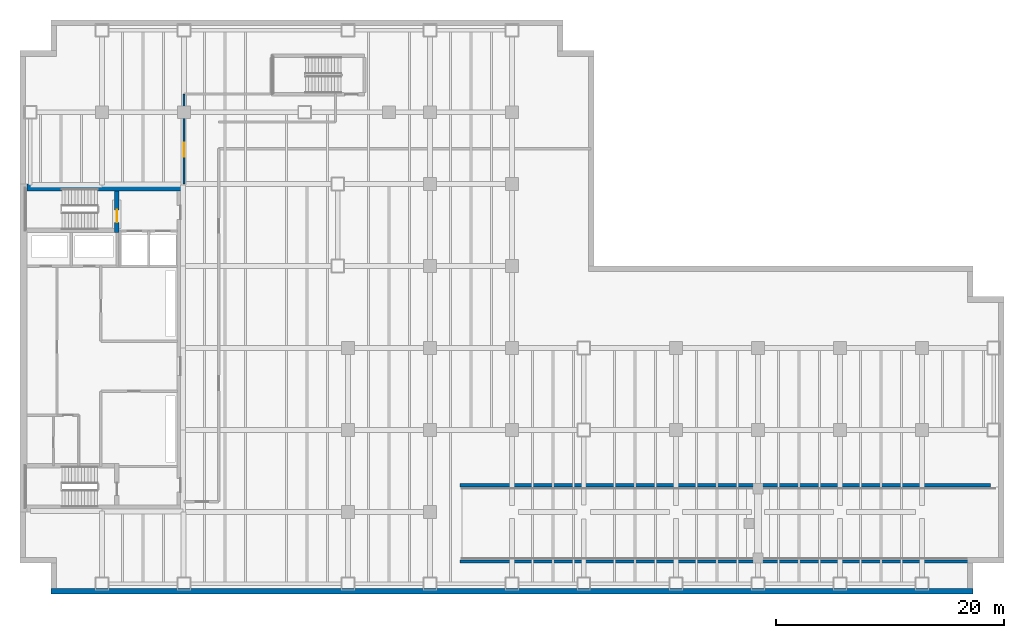
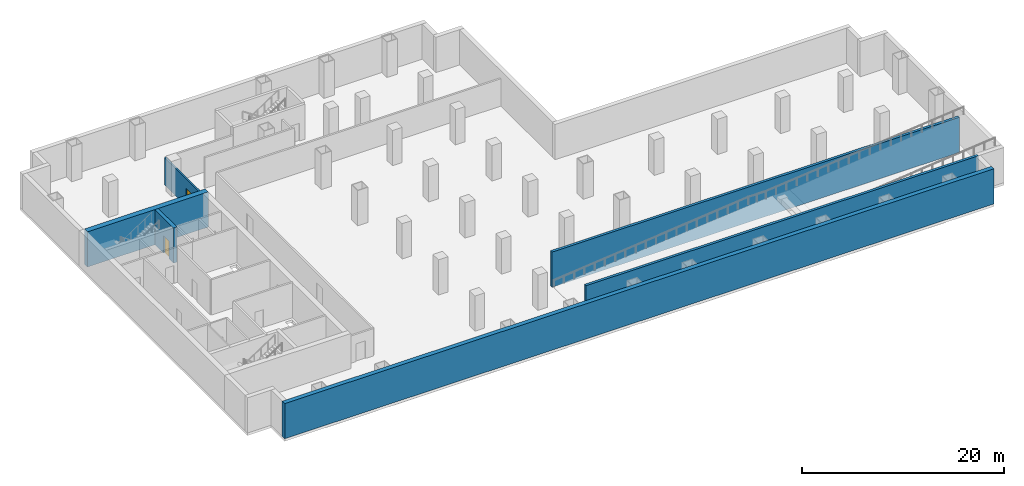
# One storey, part 6 of 11: 6 walls, 2 doors, 2 openings.
"""IFC4 building model written with IfcOpenShell, lengths in metres."""

from ifc_helpers import new_model, si_unit, direction, frame, frame_2d, origin, place, context, subcontext, project, spatial, rectangle, extrude, material, layer, layer_set, type_object, element, fill, save


model = new_model("IFC4")

# Units and contexts
model_context = context("Model", 3, precision=1e-05, world=origin(), true_north=direction((0.0, 1.0)))
body_context = subcontext(model_context, "Body", "Model", "MODEL_VIEW")
ifc_project = project(units=[si_unit("LENGTHUNIT", "METRE"), si_unit("AREAUNIT", "SQUARE_METRE"), si_unit("VOLUMEUNIT", "CUBIC_METRE"), si_unit("PLANEANGLEUNIT", "RADIAN"), si_unit("MASSUNIT", "GRAM", prefix="KILO")], contexts=[model_context])

# Site, building, storey
site_placement = place(None, origin())
site = spatial("IfcSite", under=ifc_project, at=site_placement, CompositionType="ELEMENT")
building_placement = place(site_placement, origin())
building = spatial("IfcBuilding", under=site, at=building_placement, Name="Cobrela Telecom Tower", CompositionType="ELEMENT")
storey_placement = place(building_placement, frame((0.0, 0.0, -4.550048828125)))
storey = spatial("IfcBuildingStorey", under=building, at=storey_placement, Name="B1", CompositionType="ELEMENT", Elevation=-4.550048828125)

# Walls
ifc_material_1 = material(Name="Concrete C50/60", Category="concrete")
ifc_layer_1 = layer(ifc_material_1, 0.60009765625)
ifc_layer_set_1 = layer_set([ifc_layer_1], Name="Concrete C50/60")
wall_type_1 = type_object("IfcWallType", Name="WALL-CORE-C50-600", PredefinedType="SHEAR", material=ifc_layer_set_1)
wall_1_placement = place(storey_placement, frame((0.60009765625, 35.699951171875, 0.0), z_axis=(0.0, 0.0, 1.0), x_axis=(1.0, 0.0, 0.0)))
element("IfcWall", 1, at=wall_1_placement, inside=storey, type_object=wall_type_1, Name="B1 North Core Shear Wall", PredefinedType="SHEAR", context=body_context, shape_type="SweptSolid", body=[
    extrude(rectangle(XDim=13.7998046875, YDim=0.60009765625, at=frame_2d((6.89990234375, 0.0))), origin(), (0.0, 0.0, 1.0), 4.25),
])
ifc_material_2 = material(Name="Concrete C40/50", Category="concrete")
ifc_layer_2 = layer(ifc_material_2, 0.5)
ifc_layer_set_2 = layer_set([ifc_layer_2], Name="Concrete C40/50")
wall_type_2 = type_object("IfcWallType", Name="WALL-RET-C40-500", PredefinedType="SOLIDWALL", material=ifc_layer_set_2)
wall_2_placement = place(storey_placement, frame((83.699951171875, 0.25, 0.0), z_axis=(0.0, 0.0, 1.0), x_axis=(-1.0, 0.0, 0.0)))
element("IfcWall", 2, at=wall_2_placement, inside=storey, type_object=wall_type_2, Name="B1 Basement Retaining Wall 16", PredefinedType="SOLIDWALL", context=body_context, shape_type="SweptSolid", body=[
    extrude(rectangle(XDim=81.0, YDim=0.5, at=frame_2d((40.5, 0.0))), origin(), (0.0, 0.0, 1.0), 4.25),
])

# Wall, opening, door
ifc_material_3 = material(Name="Fire-Rated Gypsum Plasterboard")
ifc_layer_3 = layer(ifc_material_3, 0.199951171875)
ifc_layer_set_3 = layer_set([ifc_layer_3], Name="Fire-Rated Gypsum Plasterboard")
wall_type_3 = type_object("IfcWallType", Name="WALL-SHAFT-200", PredefinedType="PARTITIONING", material=ifc_layer_set_3)
wall_3_placement = place(storey_placement, frame((14.39990234375, 36.0, 0.0), z_axis=(0.0, 0.0, 1.0), x_axis=(0.0, 1.0, 0.0)))
wall_3 = element("IfcWall", 3, at=wall_3_placement, inside=storey, type_object=wall_type_3, Name="B1 Shaft Enclosure W-B1V-BW", PredefinedType="PARTITIONING", context=body_context, shape_type="SweptSolid", body=[
    extrude(rectangle(XDim=7.89990234375, YDim=0.199951171875, at=frame_2d((3.949951171875, 0.0))), origin(), (0.0, 0.0, 1.0), 3.2880859375),
])
opening_1_placement = place(wall_3_placement, frame((2.39990234375, 0.0, 0.0)))
opening_1 = element("IfcOpeningElement", 4, at=opening_1_placement, cuts=wall_3, Name="Opening DR-19", PredefinedType="OPENING", context=body_context, shape_type="SweptSolid", body=[
    extrude(rectangle(XDim=1.199951171875, YDim=2.14990234375, at=frame_2d((0.60009765625, 1.074951171875))), frame((0.0, 0.11181640625, 0.0), z_axis=(0.0, -1.0, 0.0), x_axis=(1.0, 0.0, 0.0)), (0.0, 0.0, 1.0), 0.223876953125),
])
ifc_material_4 = material(Name="Steel ASTM A36", Category="steel")
door_type_1 = type_object("IfcDoorType", Name="DOOR-FD60-1200", OperationType="SINGLE_SWING_LEFT", PredefinedType="DOOR", material=ifc_material_4)
door_1_placement = place(opening_1_placement, origin())
door_1 = element("IfcDoor", 5, at=door_1_placement, inside=storey, type_object=door_type_1, Name="B1 Door DR-19", OperationType="SINGLE_SWING_LEFT", OverallHeight=2.14990234375, OverallWidth=1.199951171875, PredefinedType="DOOR", context=body_context, shape_type="SweptSolid", body=[
    extrude(rectangle(XDim=1.199951171875, YDim=2.14990234375, at=frame_2d((0.60009765625, 1.074951171875))), frame((0.0, 0.02490234375, 0.0), z_axis=(0.0, -1.0, 0.0), x_axis=(1.0, 0.0, 0.0)), (0.0, 0.0, 1.0), 0.050048828125),
])
fill(opening_1, door_1)

ifc_layer_4 = layer(ifc_material_2, 0.39990234375)
ifc_layer_set_4 = layer_set([ifc_layer_4], Name="Concrete C40/50")
wall_type_4 = type_object("IfcWallType", Name="WALL-SHAFT-C40-400", PredefinedType="SHEAR", material=ifc_layer_set_4)
wall_4_placement = place(storey_placement, frame((8.5, 31.719970703125, 0.0), z_axis=(0.0, 0.0, 1.0), x_axis=(0.0, 1.0, 0.0)))
wall_4 = element("IfcWall", 6, at=wall_4_placement, inside=storey, type_object=wall_type_4, Name="B1 North Stair Lobby Shear Wall", PredefinedType="SHEAR", context=body_context, shape_type="SweptSolid", body=[
    extrude(rectangle(XDim=3.679931640625, YDim=0.39990234375, at=frame_2d((1.83984375, 0.0))), origin(), (0.0, 0.0, 1.0), 4.25),
])
opening_2_placement = place(wall_4_placement, frame((0.89990234375, 0.0, 0.0)))
opening_2 = element("IfcOpeningElement", 7, at=opening_2_placement, cuts=wall_4, Name="Opening DR-59", PredefinedType="OPENING", context=body_context, shape_type="SweptSolid", body=[
    extrude(rectangle(XDim=1.10009765625, YDim=2.14990234375, at=frame_2d((0.550048828125, 1.074951171875))), frame((0.0, 0.2119140625, 0.0), z_axis=(0.0, -1.0, 0.0), x_axis=(1.0, 0.0, 0.0)), (0.0, 0.0, 1.0), 0.423828125),
])
door_type_2 = type_object("IfcDoorType", Name="DOOR-FD60-1100", OperationType="SINGLE_SWING_LEFT", PredefinedType="DOOR", material=ifc_material_4)
door_2_placement = place(opening_2_placement, origin())
door_2 = element("IfcDoor", 8, at=door_2_placement, inside=storey, type_object=door_type_2, Name="B1 Door DR-59", OperationType="SINGLE_SWING_RIGHT", OverallHeight=2.14990234375, OverallWidth=1.10009765625, PredefinedType="DOOR", context=body_context, shape_type="SweptSolid", body=[
    extrude(rectangle(XDim=1.10009765625, YDim=2.14990234375, at=frame_2d((0.550048828125, 1.074951171875))), frame((0.0, 0.02490234375, 0.0), z_axis=(0.0, -1.0, 0.0), x_axis=(1.0, 0.0, 0.0)), (0.0, 0.0, 1.0), 0.050048828125),
])
fill(opening_2, door_2)

# Walls
wall_5_placement = place(storey_placement, frame((38.64990234375, 2.85009765625, 0.0), z_axis=(0.0, 0.0, 1.0), x_axis=(1.0, 0.0, 0.0)))
element("IfcWall", 9, at=wall_5_placement, inside=storey, type_object=wall_type_4, Name="B1 Vehicle Ramp South Structural Shear Wall", PredefinedType="SHEAR", context=body_context, shape_type="SweptSolid", body=[
    extrude(rectangle(XDim=44.85009765625, YDim=0.300048828125, at=frame_2d((22.425048828125, 0.0))), origin(), (0.0, 0.0, 1.0), 4.25),
])
wall_6_placement = place(storey_placement, frame((38.64990234375, 9.550048828125, 0.0), z_axis=(0.0, 0.0, 1.0), x_axis=(1.0, 0.0, 0.0)))
element("IfcWall", 10, at=wall_6_placement, inside=storey, type_object=wall_type_4, Name="B1 Vehicle Ramp North Structural Shear Wall", PredefinedType="SHEAR", context=body_context, shape_type="SweptSolid", body=[
    extrude(rectangle(XDim=46.550048828125, YDim=0.300048828125, at=frame_2d((23.27490234375, 0.0))), origin(), (0.0, 0.0, 1.0), 4.25),
])

save(model, "model.ifc")
